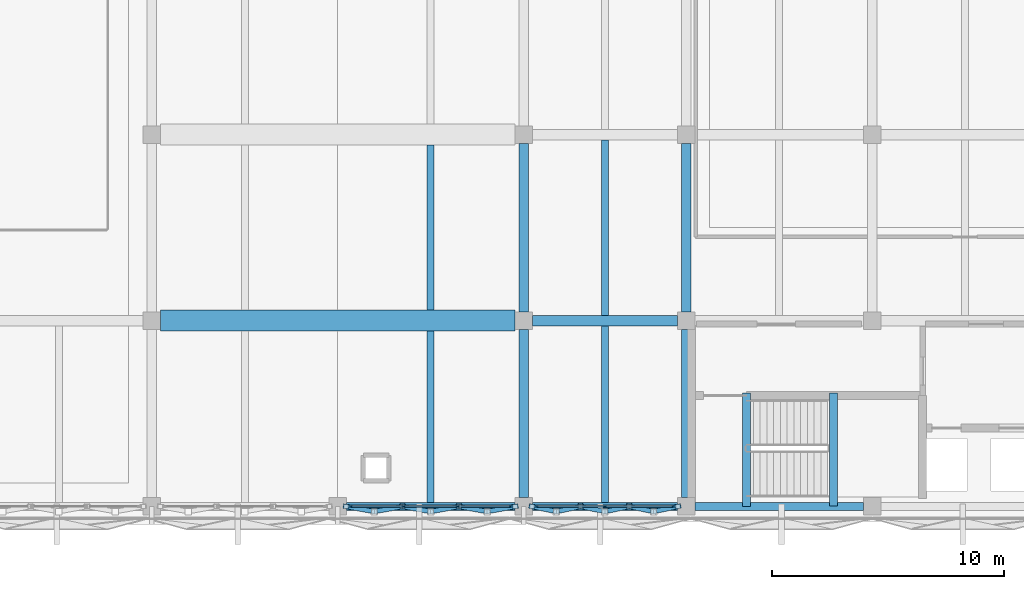
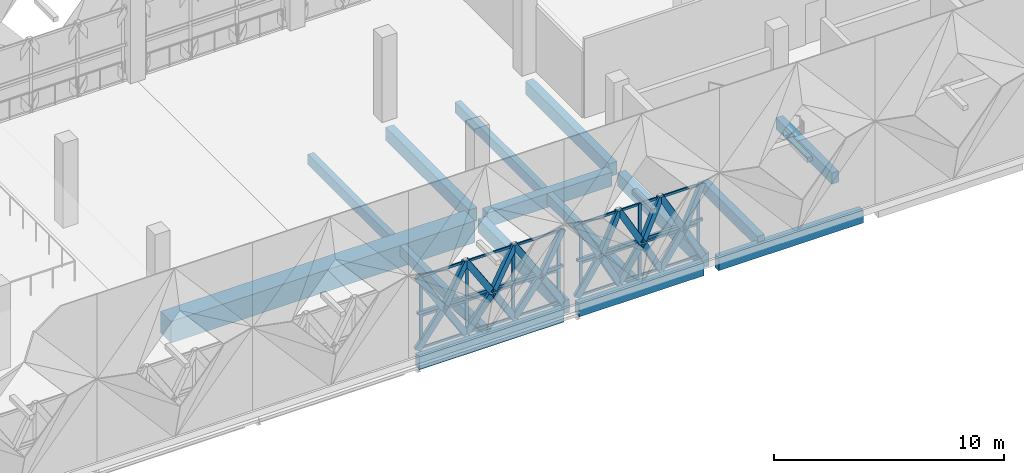
# One storey, part 13 of 53: 52 members, 15 beams, 2 elements without a shape of their own.
"""IFC4 building model written with IfcOpenShell, lengths in metres."""

from ifc_helpers import new_model, si_unit, direction, frame, origin, origin_2d, place, context, subcontext, project, spatial, rectangle, hollow_rectangle, extrude, material, layer, layer_set, material_profile, profile_set, type_object, element, aggregate, save


model = new_model("IFC4")

# Units and contexts
model_context = context("Model", 3, precision=1e-05, world=origin(), true_north=direction((0.0, 1.0)))
body_context = subcontext(model_context, "Body", "Model", "MODEL_VIEW")
ifc_project = project(units=[si_unit("LENGTHUNIT", "METRE"), si_unit("AREAUNIT", "SQUARE_METRE"), si_unit("VOLUMEUNIT", "CUBIC_METRE"), si_unit("PLANEANGLEUNIT", "RADIAN"), si_unit("MASSUNIT", "GRAM", prefix="KILO")], contexts=[model_context])

# Site, building, storey
site_placement = place(None, origin())
site = spatial("IfcSite", under=ifc_project, at=site_placement, CompositionType="ELEMENT")
building_placement = place(site_placement, origin())
building = spatial("IfcBuilding", under=site, at=building_placement, Name="Qorikala Patio Media Centre", CompositionType="ELEMENT")
storey_placement = place(building_placement, frame((0.0, 0.0, 5.39990234375)))
storey = spatial("IfcBuildingStorey", under=building, at=storey_placement, Name="L01", CompositionType="ELEMENT", Elevation=5.39990234375)

# Beams
ifc_material_1 = material(Name="Concrete C35/45", Category="concrete")
ifc_material_profile_1 = material_profile(ifc_material_1, rectangle(XDim=0.35009765625, YDim=0.60009765625, at=origin_2d()), Name="RC 350x600")
ifc_profile_set_1 = profile_set([ifc_material_profile_1], Name="Concrete C35/45")
beam_type_1 = type_object("IfcBeamType", Name="BM-G350X600", PredefinedType="BEAM", material=ifc_profile_set_1)
beam_1_placement = place(storey_placement, frame((84.60009765625, 3.0, -0.2998046875), z_axis=(0.0, 1.0, 0.0), x_axis=(-1.0, 0.0, 0.0)))
element("IfcBeam", 1, at=beam_1_placement, inside=storey, type_object=beam_type_1, Name="L01 ST-4 Well Trimmer Beam", PredefinedType="BEAM", context=body_context, shape_type="SweptSolid", body=[
    extrude(rectangle(XDim=0.35009765625, YDim=0.60009765625, at=origin_2d()), origin(), (0.0, 0.0, 1.0), 4.8798828125),
])
beam_2_placement = place(storey_placement, frame((88.330078125, 3.02001953125, 1.75), z_axis=(0.0, 1.0, 0.0), x_axis=(-1.0, 0.0, 0.0)))
element("IfcBeam", 2, at=beam_2_placement, inside=storey, type_object=beam_type_1, Name="L01 ST-4 Landing Beam 1", PredefinedType="BEAM", context=body_context, shape_type="SweptSolid", body=[
    extrude(rectangle(XDim=0.35009765625, YDim=0.60009765625, at=origin_2d()), origin(), (0.0, 0.0, 1.0), 4.85986328125),
])
ifc_material_profile_2 = material_profile(ifc_material_1, rectangle(XDim=0.39990234375, YDim=0.699951171875, at=origin_2d()), Name="RC 400x700")
ifc_profile_set_2 = profile_set([ifc_material_profile_2], Name="Concrete C35/45")
beam_type_2 = type_object("IfcBeamType", Name="BM-G400X700", PredefinedType="BEAM", material=ifc_profile_set_2)
for number, where, z_axis, x_axis, name in (
    (3, (75.0, 3.375, -0.64990234375), (0.0, 1.0, 0.0), (-1.0, 0.0, 0.0), "L01 Grid X=75 Beam 0622"),
    (4, (75.0, 11.375, -0.64990234375), (0.0, 1.0, 0.0), (-1.0, 0.0, 0.0), "L01 Grid X=75 Beam 0623"),
    (5, (82.0, 3.375, -0.64990234375), (0.0, 1.0, 0.0), (-1.0, 0.0, 0.0), "L01 Grid X=82 Beam 0630"),
    (6, (82.0, 11.375, -0.64990234375), (0.0, 1.0, 0.0), (-1.0, 0.0, 0.0), "L01 Grid X=82 Beam 0631"),
):
    element("IfcBeam", number, at=place(storey_placement, frame(where, z_axis=z_axis, x_axis=x_axis)), inside=storey, type_object=beam_type_2, Name=name, PredefinedType="BEAM", context=body_context, shape_type="SweptSolid", body=[
        extrude(rectangle(XDim=0.39990234375, YDim=0.699951171875, at=origin_2d()), origin(), (0.0, 0.0, 1.0), 7.25),
    ])
ifc_material_profile_3 = material_profile(ifc_material_1, rectangle(XDim=0.449951171875, YDim=0.75, at=origin_2d()), Name="RC 450x750")
ifc_profile_set_3 = profile_set([ifc_material_profile_3], Name="Concrete C35/45")
beam_type_3 = type_object("IfcBeamType", Name="BM-G450X750", PredefinedType="BEAM", material=ifc_profile_set_3)
beam_3_placement = place(storey_placement, frame((75.375, 11.0, -0.6748046875), z_axis=(1.0, 0.0, 0.0), x_axis=(0.0, 1.0, 0.0)))
element("IfcBeam", 7, at=beam_3_placement, inside=storey, type_object=beam_type_3, Name="L01 Grid 11 Beam 0428", PredefinedType="BEAM", context=body_context, shape_type="SweptSolid", body=[
    extrude(rectangle(XDim=0.449951171875, YDim=0.75, at=origin_2d()), origin(), (0.0, 0.0, 1.0), 6.25),
])
ifc_material_profile_4 = material_profile(ifc_material_1, rectangle(XDim=0.89990234375, YDim=1.14990234375, at=origin_2d()), Name="RC 900x1150")
ifc_profile_set_4 = profile_set([ifc_material_profile_4], Name="Concrete C35/45")
beam_type_4 = type_object("IfcBeamType", Name="BM-TR900X1150", PredefinedType="BEAM", material=ifc_profile_set_4)
beam_4_placement = place(storey_placement, frame((59.375, 11.0, -0.875), z_axis=(1.0, 0.0, 0.0), x_axis=(0.0, 1.0, 0.0)))
element("IfcBeam", 8, at=beam_4_placement, inside=storey, type_object=beam_type_4, Name="L01 Grid 11 Beam 0427", PredefinedType="BEAM", context=body_context, shape_type="SweptSolid", body=[
    extrude(rectangle(XDim=0.89990234375, YDim=1.14990234375, at=origin_2d()), origin(), (0.0, 0.0, 1.0), 15.25),
])

# Members
ifc_material_2 = material(Name="Golden Bronze Coated Steel S355", Category="steel")
ifc_material_profile_5 = material_profile(ifc_material_2, hollow_rectangle(XDim=0.139892578125, YDim=0.139892578125, WallThickness=0.006103515625, at=origin_2d()), Name="HSS140X140X6")
ifc_profile_set_5 = profile_set([ifc_material_profile_5], Name="Golden Bronze Coated Steel S355")
member_type_1 = type_object("IfcMemberType", Name="BRACE-DIA140", PredefinedType="BRACE", material=ifc_profile_set_5)
for number, where, z_axis, x_axis, name in (
    (9, (81.639892578125, 3.0, 1.925048828125), (-1.0, 0.0, 0.0), (0.0, -1.0, 0.0), "L01 Diamond Fold Tie 019"),
    (10, (79.546630859375, 3.0, 1.925048828125), (-1.0, 0.0, 0.0), (0.0, -1.0, 0.0), "L01 Diamond Fold Tie 020"),
    (11, (77.453369140625, 3.0, 1.925048828125), (-1.0, 0.0, 0.0), (0.0, -1.0, 0.0), "L01 Diamond Fold Tie 021"),
):
    element("IfcMember", number, at=place(storey_placement, frame(where, z_axis=z_axis, x_axis=x_axis)), inside=storey, type_object=member_type_1, Name=name, PredefinedType="BRACE", context=body_context, shape_type="SweptSolid", body=[
        extrude(hollow_rectangle(XDim=0.139892578125, YDim=0.139892578125, WallThickness=0.006103515625, at=origin_2d()), origin(), (0.0, 0.0, 1.0), 2.09326171875),
    ])
member_1_placement = place(storey_placement, frame((74.639892578125, 3.0, 1.925048828125), z_axis=(-1.0, 0.0, 0.0), x_axis=(0.0, -1.0, 0.0)))
element("IfcMember", 12, at=member_1_placement, inside=storey, type_object=member_type_1, Name="L01 Diamond Fold Tie 022", PredefinedType="BRACE", context=body_context, shape_type="SweptSolid", body=[
    extrude(hollow_rectangle(XDim=0.139892578125, YDim=0.139892578125, WallThickness=0.006103515625, at=origin_2d()), origin(), (0.0, 0.0, 1.0), 2.426513671875),
])
member_2_placement = place(storey_placement, frame((72.21337890625, 3.0, 1.925048828125), z_axis=(-1.0, 0.0, 0.0), x_axis=(0.0, -1.0, 0.0)))
element("IfcMember", 13, at=member_2_placement, inside=storey, type_object=member_type_1, Name="L01 Diamond Fold Tie 023", PredefinedType="BRACE", context=body_context, shape_type="SweptSolid", body=[
    extrude(hollow_rectangle(XDim=0.139892578125, YDim=0.139892578125, WallThickness=0.006103515625, at=origin_2d()), origin(), (0.0, 0.0, 1.0), 2.4267578125),
])
member_3_placement = place(storey_placement, frame((69.78662109375, 3.0, 1.925048828125), z_axis=(-1.0, 0.0, 0.0), x_axis=(0.0, -1.0, 0.0)))
element("IfcMember", 14, at=member_3_placement, inside=storey, type_object=member_type_1, Name="L01 Diamond Fold Tie 024", PredefinedType="BRACE", context=body_context, shape_type="SweptSolid", body=[
    extrude(hollow_rectangle(XDim=0.139892578125, YDim=0.139892578125, WallThickness=0.006103515625, at=origin_2d()), origin(), (0.0, 0.0, 1.0), 2.426513671875),
])

# Curtain wall, members
ifc_material_3 = material(Name="Golden Bronze Anodised Aluminium and Low-E Glass", Category="aluminium")
ifc_layer_1 = layer(ifc_material_3, 0.159912109375)
ifc_layer_set_1 = layer_set([ifc_layer_1], Name="Golden Bronze Anodised Aluminium and Low-E Glass")
curtain_wall_type_1 = type_object("IfcCurtainWallType", Name="CW-DIA-596X385", PredefinedType="USERDEFINED", material=ifc_layer_set_1)
curtain_wall_1_placement = place(storey_placement, origin())
curtain_wall_1 = element("IfcCurtainWall", 15, at=curtain_wall_1_placement, inside=storey, type_object=curtain_wall_type_1, Name="L01 Courtyard Curtain Wall 035", ObjectType="COURTYARD CURTAIN WALL", PredefinedType="USERDEFINED")
ifc_material_4 = material(Name="Golden Bronze Anodised Aluminium", Category="aluminium")
ifc_material_profile_6 = material_profile(ifc_material_4, rectangle(XDim=0.06494140625, YDim=0.14990234375, at=origin_2d()), Name="ALU MULLION 65x150")
ifc_profile_set_6 = profile_set([ifc_material_profile_6], Name="Golden Bronze Anodised Aluminium")
member_type_2 = type_object("IfcMemberType", Name="CWM-65X150", PredefinedType="MULLION", material=ifc_profile_set_6)
member_4_placement = place(storey_placement, frame((81.447509765625, 3.0, 0.0), z_axis=(0.0, 0.0, 1.0), x_axis=(0.0, -1.0, 0.0)))
member_4 = element("IfcMember", 16, at=member_4_placement, type_object=member_type_2, Name="CWD596385 mullion 1", PredefinedType="MULLION", context=body_context, shape_type="SweptSolid", body=[
    extrude(rectangle(XDim=0.06494140625, YDim=0.14990234375, at=origin_2d()), origin(), (0.0, 0.0, 1.0), 3.85009765625),
])
member_5_placement = place(storey_placement, frame((78.5, 3.0, 0.0), z_axis=(0.0, 0.0, 1.0), x_axis=(0.0, -1.0, 0.0)))
member_5 = element("IfcMember", 17, at=member_5_placement, type_object=member_type_2, Name="CWD596385 mullion 2", PredefinedType="MULLION", context=body_context, shape_type="SweptSolid", body=[
    extrude(rectangle(XDim=0.06494140625, YDim=0.14990234375, at=origin_2d()), origin(), (0.0, 0.0, 1.0), 3.85009765625),
])
member_6_placement = place(storey_placement, frame((75.552490234375, 3.0, 0.0), z_axis=(0.0, 0.0, 1.0), x_axis=(0.0, -1.0, 0.0)))
member_6 = element("IfcMember", 18, at=member_6_placement, type_object=member_type_2, Name="CWD596385 mullion 3", PredefinedType="MULLION", context=body_context, shape_type="SweptSolid", body=[
    extrude(rectangle(XDim=0.06494140625, YDim=0.14990234375, at=origin_2d()), origin(), (0.0, 0.0, 1.0), 3.85009765625),
])

ifc_layer_2 = layer(ifc_material_3, 0.159912109375)
ifc_layer_set_2 = layer_set([ifc_layer_2], Name="Golden Bronze Anodised Aluminium and Low-E Glass")
curtain_wall_type_2 = type_object("IfcCurtainWallType", Name="CW-DIA-696X385", PredefinedType="USERDEFINED", material=ifc_layer_set_2)
curtain_wall_2_placement = place(storey_placement, origin())
curtain_wall_2 = element("IfcCurtainWall", 19, at=curtain_wall_2_placement, inside=storey, type_object=curtain_wall_type_2, Name="L01 Courtyard Curtain Wall 036", ObjectType="COURTYARD CURTAIN WALL", PredefinedType="USERDEFINED")
member_7_placement = place(storey_placement, frame((74.447509765625, 3.0, 0.0), z_axis=(0.0, 0.0, 1.0), x_axis=(0.0, -1.0, 0.0)))
member_7 = element("IfcMember", 20, at=member_7_placement, type_object=member_type_2, Name="CWD696385 mullion 1", PredefinedType="MULLION", context=body_context, shape_type="SweptSolid", body=[
    extrude(rectangle(XDim=0.06494140625, YDim=0.14990234375, at=origin_2d()), origin(), (0.0, 0.0, 1.0), 3.85009765625),
])
member_8_placement = place(storey_placement, frame((72.159912109375, 3.0, 0.0), z_axis=(0.0, 0.0, 1.0), x_axis=(0.0, -1.0, 0.0)))
member_8 = element("IfcMember", 21, at=member_8_placement, type_object=member_type_2, Name="CWD696385 mullion 2", PredefinedType="MULLION", context=body_context, shape_type="SweptSolid", body=[
    extrude(rectangle(XDim=0.06494140625, YDim=0.14990234375, at=origin_2d()), origin(), (0.0, 0.0, 1.0), 3.85009765625),
])
member_9_placement = place(storey_placement, frame((69.840087890625, 3.0, 0.0), z_axis=(0.0, 0.0, 1.0), x_axis=(0.0, -1.0, 0.0)))
member_9 = element("IfcMember", 22, at=member_9_placement, type_object=member_type_2, Name="CWD696385 mullion 3", PredefinedType="MULLION", context=body_context, shape_type="SweptSolid", body=[
    extrude(rectangle(XDim=0.06494140625, YDim=0.14990234375, at=origin_2d()), origin(), (0.0, 0.0, 1.0), 3.85009765625),
])
member_10_placement = place(storey_placement, frame((67.552490234375, 3.0, 0.0), z_axis=(0.0, 0.0, 1.0), x_axis=(0.0, -1.0, 0.0)))
member_10 = element("IfcMember", 23, at=member_10_placement, type_object=member_type_2, Name="CWD696385 mullion 4", PredefinedType="MULLION", context=body_context, shape_type="SweptSolid", body=[
    extrude(rectangle(XDim=0.06494140625, YDim=0.14990234375, at=origin_2d()), origin(), (0.0, 0.0, 1.0), 3.85009765625),
])

# Member
ifc_material_profile_7 = material_profile(ifc_material_4, rectangle(XDim=0.06494140625, YDim=0.1201171875, at=origin_2d()), Name="ALU TRANSOM 65x120")
ifc_profile_set_7 = profile_set([ifc_material_profile_7], Name="Golden Bronze Anodised Aluminium")
member_type_3 = type_object("IfcMemberType", Name="CWT-65X120", PredefinedType="USERDEFINED", material=ifc_profile_set_7)
member_11_placement = place(storey_placement, frame((81.4150390625, 3.0, 0.03271484375), z_axis=(-1.0, 0.0, 0.0), x_axis=(0.0, -1.0, 0.0)))
member_11 = element("IfcMember", 24, at=member_11_placement, type_object=member_type_3, Name="CWD596385 transom 1.1", ObjectType="TRANSOM", PredefinedType="USERDEFINED", context=body_context, shape_type="SweptSolid", body=[
    extrude(rectangle(XDim=0.06494140625, YDim=0.1201171875, at=origin_2d()), origin(), (0.0, 0.0, 1.0), 2.882568359375),
])

member_12_placement = place(storey_placement, frame((81.4150390625, 3.0, 1.732666015625), z_axis=(-1.0, 0.0, 0.0), x_axis=(0.0, -1.0, 0.0)))
member_12 = element("IfcMember", 25, at=member_12_placement, type_object=member_type_3, Name="CWD596385 transom 1.2", ObjectType="TRANSOM", PredefinedType="USERDEFINED", context=body_context, shape_type="SweptSolid", body=[
    extrude(rectangle(XDim=0.06494140625, YDim=0.1201171875, at=origin_2d()), origin(), (0.0, 0.0, 1.0), 2.882568359375),
])

member_13_placement = place(storey_placement, frame((81.4150390625, 3.0, 3.817626953125), z_axis=(-1.0, 0.0, 0.0), x_axis=(0.0, -1.0, 0.0)))
member_13 = element("IfcMember", 26, at=member_13_placement, type_object=member_type_3, Name="CWD596385 transom 1.3", ObjectType="TRANSOM", PredefinedType="USERDEFINED", context=body_context, shape_type="SweptSolid", body=[
    extrude(rectangle(XDim=0.06494140625, YDim=0.1201171875, at=origin_2d()), origin(), (0.0, 0.0, 1.0), 2.882568359375),
])

member_14_placement = place(storey_placement, frame((78.467529296875, 3.0, 0.03271484375), z_axis=(-1.0, 0.0, 0.0), x_axis=(0.0, -1.0, 0.0)))
member_14 = element("IfcMember", 27, at=member_14_placement, type_object=member_type_3, Name="CWD596385 transom 2.1", ObjectType="TRANSOM", PredefinedType="USERDEFINED", context=body_context, shape_type="SweptSolid", body=[
    extrude(rectangle(XDim=0.06494140625, YDim=0.1201171875, at=origin_2d()), origin(), (0.0, 0.0, 1.0), 2.882568359375),
])

member_15_placement = place(storey_placement, frame((78.467529296875, 3.0, 1.732666015625), z_axis=(-1.0, 0.0, 0.0), x_axis=(0.0, -1.0, 0.0)))
member_15 = element("IfcMember", 28, at=member_15_placement, type_object=member_type_3, Name="CWD596385 transom 2.2", ObjectType="TRANSOM", PredefinedType="USERDEFINED", context=body_context, shape_type="SweptSolid", body=[
    extrude(rectangle(XDim=0.06494140625, YDim=0.1201171875, at=origin_2d()), origin(), (0.0, 0.0, 1.0), 2.882568359375),
])

member_16_placement = place(storey_placement, frame((78.467529296875, 3.0, 3.817626953125), z_axis=(-1.0, 0.0, 0.0), x_axis=(0.0, -1.0, 0.0)))
member_16 = element("IfcMember", 29, at=member_16_placement, type_object=member_type_3, Name="CWD596385 transom 2.3", ObjectType="TRANSOM", PredefinedType="USERDEFINED", context=body_context, shape_type="SweptSolid", body=[
    extrude(rectangle(XDim=0.06494140625, YDim=0.1201171875, at=origin_2d()), origin(), (0.0, 0.0, 1.0), 2.882568359375),
])

aggregate(curtain_wall_1, [member_4, member_5, member_6, member_11, member_12, member_13, member_14, member_15, member_16])

member_17_placement = place(storey_placement, frame((74.4150390625, 3.0, 0.03271484375), z_axis=(-1.0, 0.0, 0.0), x_axis=(0.0, -1.0, 0.0)))
member_17 = element("IfcMember", 30, at=member_17_placement, type_object=member_type_3, Name="CWD696385 transom 1.1", ObjectType="TRANSOM", PredefinedType="USERDEFINED", context=body_context, shape_type="SweptSolid", body=[
    extrude(rectangle(XDim=0.06494140625, YDim=0.1201171875, at=origin_2d()), origin(), (0.0, 0.0, 1.0), 2.22265625),
])

member_18_placement = place(storey_placement, frame((74.4150390625, 3.0, 1.732666015625), z_axis=(-1.0, 0.0, 0.0), x_axis=(0.0, -1.0, 0.0)))
member_18 = element("IfcMember", 31, at=member_18_placement, type_object=member_type_3, Name="CWD696385 transom 1.2", ObjectType="TRANSOM", PredefinedType="USERDEFINED", context=body_context, shape_type="SweptSolid", body=[
    extrude(rectangle(XDim=0.06494140625, YDim=0.1201171875, at=origin_2d()), origin(), (0.0, 0.0, 1.0), 2.22265625),
])

member_19_placement = place(storey_placement, frame((74.4150390625, 3.0, 3.817626953125), z_axis=(-1.0, 0.0, 0.0), x_axis=(0.0, -1.0, 0.0)))
member_19 = element("IfcMember", 32, at=member_19_placement, type_object=member_type_3, Name="CWD696385 transom 1.3", ObjectType="TRANSOM", PredefinedType="USERDEFINED", context=body_context, shape_type="SweptSolid", body=[
    extrude(rectangle(XDim=0.06494140625, YDim=0.1201171875, at=origin_2d()), origin(), (0.0, 0.0, 1.0), 2.22265625),
])

member_20_placement = place(storey_placement, frame((72.12744140625, 3.0, 0.03271484375), z_axis=(-1.0, 0.0, 0.0), x_axis=(0.0, -1.0, 0.0)))
member_20 = element("IfcMember", 33, at=member_20_placement, type_object=member_type_3, Name="CWD696385 transom 2.1", ObjectType="TRANSOM", PredefinedType="USERDEFINED", context=body_context, shape_type="SweptSolid", body=[
    extrude(rectangle(XDim=0.06494140625, YDim=0.1201171875, at=origin_2d()), origin(), (0.0, 0.0, 1.0), 2.2548828125),
])

member_21_placement = place(storey_placement, frame((72.12744140625, 3.0, 1.732666015625), z_axis=(-1.0, 0.0, 0.0), x_axis=(0.0, -1.0, 0.0)))
member_21 = element("IfcMember", 34, at=member_21_placement, type_object=member_type_3, Name="CWD696385 transom 2.2", ObjectType="TRANSOM", PredefinedType="USERDEFINED", context=body_context, shape_type="SweptSolid", body=[
    extrude(rectangle(XDim=0.06494140625, YDim=0.1201171875, at=origin_2d()), origin(), (0.0, 0.0, 1.0), 2.2548828125),
])

member_22_placement = place(storey_placement, frame((72.12744140625, 3.0, 3.817626953125), z_axis=(-1.0, 0.0, 0.0), x_axis=(0.0, -1.0, 0.0)))
member_22 = element("IfcMember", 35, at=member_22_placement, type_object=member_type_3, Name="CWD696385 transom 2.3", ObjectType="TRANSOM", PredefinedType="USERDEFINED", context=body_context, shape_type="SweptSolid", body=[
    extrude(rectangle(XDim=0.06494140625, YDim=0.1201171875, at=origin_2d()), origin(), (0.0, 0.0, 1.0), 2.2548828125),
])

member_23_placement = place(storey_placement, frame((69.8076171875, 3.0, 0.03271484375), z_axis=(-1.0, 0.0, 0.0), x_axis=(0.0, -1.0, 0.0)))
member_23 = element("IfcMember", 36, at=member_23_placement, type_object=member_type_3, Name="CWD696385 transom 3.1", ObjectType="TRANSOM", PredefinedType="USERDEFINED", context=body_context, shape_type="SweptSolid", body=[
    extrude(rectangle(XDim=0.06494140625, YDim=0.1201171875, at=origin_2d()), origin(), (0.0, 0.0, 1.0), 2.22265625),
])

member_24_placement = place(storey_placement, frame((69.8076171875, 3.0, 1.732666015625), z_axis=(-1.0, 0.0, 0.0), x_axis=(0.0, -1.0, 0.0)))
member_24 = element("IfcMember", 37, at=member_24_placement, type_object=member_type_3, Name="CWD696385 transom 3.2", ObjectType="TRANSOM", PredefinedType="USERDEFINED", context=body_context, shape_type="SweptSolid", body=[
    extrude(rectangle(XDim=0.06494140625, YDim=0.1201171875, at=origin_2d()), origin(), (0.0, 0.0, 1.0), 2.22265625),
])

member_25_placement = place(storey_placement, frame((69.8076171875, 3.0, 3.817626953125), z_axis=(-1.0, 0.0, 0.0), x_axis=(0.0, -1.0, 0.0)))
member_25 = element("IfcMember", 38, at=member_25_placement, type_object=member_type_3, Name="CWD696385 transom 3.3", ObjectType="TRANSOM", PredefinedType="USERDEFINED", context=body_context, shape_type="SweptSolid", body=[
    extrude(rectangle(XDim=0.06494140625, YDim=0.1201171875, at=origin_2d()), origin(), (0.0, 0.0, 1.0), 2.22265625),
])

aggregate(curtain_wall_2, [member_7, member_8, member_9, member_10, member_17, member_18, member_19, member_20, member_21, member_22, member_23, member_24, member_25])

# Beams
ifc_material_profile_8 = material_profile(ifc_material_1, rectangle(XDim=0.300048828125, YDim=0.550048828125, at=origin_2d()), Name="RC 300x550")
ifc_profile_set_8 = profile_set([ifc_material_profile_8], Name="Concrete C35/45")
beam_type_5 = type_object("IfcBeamType", Name="JS-300X550", PredefinedType="JOIST", material=ifc_profile_set_8)
beam_5_placement = place(storey_placement, frame((71.0, 3.175048828125, -0.574951171875), z_axis=(0.0, 1.0, 0.0), x_axis=(-1.0, 0.0, 0.0)))
element("IfcBeam", 39, at=beam_5_placement, inside=storey, type_object=beam_type_5, Name="L01 Secondary Joist 0718", PredefinedType="JOIST", context=body_context, shape_type="SweptSolid", body=[
    extrude(rectangle(XDim=0.300048828125, YDim=0.550048828125, at=origin_2d()), origin(), (0.0, 0.0, 1.0), 7.375),
])
beam_6_placement = place(storey_placement, frame((71.0, 11.449951171875, -0.574951171875), z_axis=(0.0, 1.0, 0.0), x_axis=(-1.0, 0.0, 0.0)))
element("IfcBeam", 40, at=beam_6_placement, inside=storey, type_object=beam_type_5, Name="L01 Secondary Joist 0719", PredefinedType="JOIST", context=body_context, shape_type="SweptSolid", body=[
    extrude(rectangle(XDim=0.300048828125, YDim=0.550048828125, at=origin_2d()), origin(), (0.0, 0.0, 1.0), 7.10009765625),
])
beam_7_placement = place(storey_placement, frame((78.5, 3.175048828125, -0.574951171875), z_axis=(0.0, 1.0, 0.0), x_axis=(-1.0, 0.0, 0.0)))
element("IfcBeam", 41, at=beam_7_placement, inside=storey, type_object=beam_type_5, Name="L01 Secondary Joist 0726", PredefinedType="JOIST", context=body_context, shape_type="SweptSolid", body=[
    extrude(rectangle(XDim=0.300048828125, YDim=0.550048828125, at=origin_2d()), origin(), (0.0, 0.0, 1.0), 7.599853515625),
])
beam_8_placement = place(storey_placement, frame((78.5, 11.22509765625, -0.574951171875), z_axis=(0.0, 1.0, 0.0), x_axis=(-1.0, 0.0, 0.0)))
element("IfcBeam", 42, at=beam_8_placement, inside=storey, type_object=beam_type_5, Name="L01 Secondary Joist 0727", PredefinedType="JOIST", context=body_context, shape_type="SweptSolid", body=[
    extrude(rectangle(XDim=0.300048828125, YDim=0.550048828125, at=origin_2d()), origin(), (0.0, 0.0, 1.0), 7.5498046875),
])
ifc_material_profile_9 = material_profile(ifc_material_1, rectangle(XDim=0.35009765625, YDim=0.679931640625, at=origin_2d()), Name="RC 350x680")
ifc_profile_set_9 = profile_set([ifc_material_profile_9], Name="Concrete C35/45")
beam_type_6 = type_object("IfcBeamType", Name="SP-350X680", PredefinedType="SPANDREL", material=ifc_profile_set_9)
beam_9_placement = place(storey_placement, frame((67.375, 3.0, -0.639892578125), z_axis=(1.0, 0.0, 0.0), x_axis=(0.0, 1.0, 0.0)))
element("IfcBeam", 43, at=beam_9_placement, inside=storey, type_object=beam_type_6, Name="L01 Grid 3 Beam 0407", PredefinedType="SPANDREL", context=body_context, shape_type="SweptSolid", body=[
    extrude(rectangle(XDim=0.35009765625, YDim=0.679931640625, at=origin_2d()), origin(), (0.0, 0.0, 1.0), 7.25),
])
beam_10_placement = place(storey_placement, frame((75.375, 3.0, -0.639892578125), z_axis=(1.0, 0.0, 0.0), x_axis=(0.0, 1.0, 0.0)))
element("IfcBeam", 44, at=beam_10_placement, inside=storey, type_object=beam_type_6, Name="L01 Grid 3 Beam 0408", PredefinedType="SPANDREL", context=body_context, shape_type="SweptSolid", body=[
    extrude(rectangle(XDim=0.35009765625, YDim=0.679931640625, at=origin_2d()), origin(), (0.0, 0.0, 1.0), 6.25),
])
beam_11_placement = place(storey_placement, frame((82.375, 3.0, -0.639892578125), z_axis=(1.0, 0.0, 0.0), x_axis=(0.0, 1.0, 0.0)))
element("IfcBeam", 45, at=beam_11_placement, inside=storey, type_object=beam_type_6, Name="L01 Grid 3 Beam 0409", PredefinedType="SPANDREL", context=body_context, shape_type="SweptSolid", body=[
    extrude(rectangle(XDim=0.35009765625, YDim=0.679931640625, at=origin_2d()), origin(), (0.0, 0.0, 1.0), 7.25),
])

# Members
ifc_material_profile_10 = material_profile(ifc_material_2, hollow_rectangle(XDim=0.199951171875, YDim=0.300048828125, WallThickness=0.011962890625, at=origin_2d()), Name="HSS300X200X12")
ifc_profile_set_10 = profile_set([ifc_material_profile_10], Name="Golden Bronze Coated Steel S355")
member_type_4 = type_object("IfcMemberType", Name="STRUT-DIA300", PredefinedType="STRUT", material=ifc_profile_set_10)
for number, where, z_axis, x_axis, name in (
    (46, (81.639892578125, 3.0, 0.0), (-0.475284177813, -0.099558010654, 0.87418141872), (0.205020837962, -0.9787576084, 0.0), "L01 Diamond Foyer Fold Strut 019-DL1"),
    (47, (79.546630859375, 3.0, 0.0), (0.475284177813, -0.099558010654, 0.87418141872), (0.205020837962, 0.9787576084, 0.0), "L01 Diamond Foyer Fold Strut 019-DL2"),
    (48, (80.59326171875, 2.78076171875, 1.925048828125), (0.475284177813, 0.099558010654, 0.87418141872), (-0.205020837962, 0.9787576084, 0.0), "L01 Diamond Foyer Fold Strut 019-DU1"),
    (49, (80.59326171875, 2.78076171875, 1.925048828125), (-0.475284177813, 0.099558010654, 0.87418141872), (-0.205020837962, -0.9787576084, 0.0), "L01 Diamond Foyer Fold Strut 019-DU2"),
    (50, (79.546630859375, 3.0, 0.0), (-0.475284177813, -0.099558010654, 0.87418141872), (0.205020837962, -0.9787576084, 0.0), "L01 Diamond Foyer Fold Strut 020-DL1"),
    (51, (77.453369140625, 3.0, 0.0), (0.475284177813, -0.099558010654, 0.87418141872), (0.205020837962, 0.9787576084, 0.0), "L01 Diamond Foyer Fold Strut 020-DL2"),
    (52, (78.5, 2.78076171875, 1.925048828125), (0.475284177813, 0.099558010654, 0.87418141872), (-0.205020837962, 0.9787576084, 0.0), "L01 Diamond Foyer Fold Strut 020-DU1"),
    (53, (78.5, 2.78076171875, 1.925048828125), (-0.475284177813, 0.099558010654, 0.87418141872), (-0.205020837962, -0.9787576084, 0.0), "L01 Diamond Foyer Fold Strut 020-DU2"),
    (54, (77.453369140625, 3.0, 0.0), (-0.475284177813, -0.099558010654, 0.87418141872), (0.205020837962, -0.9787576084, 0.0), "L01 Diamond Foyer Fold Strut 021-DL1"),
    (55, (75.360107421875, 3.0, 0.0), (0.475284177813, -0.099558010654, 0.87418141872), (0.205020837962, 0.9787576084, 0.0), "L01 Diamond Foyer Fold Strut 021-DL2"),
    (56, (76.40673828125, 2.78076171875, 1.925048828125), (0.475284177813, 0.099558010654, 0.87418141872), (-0.205020837962, 0.9787576084, 0.0), "L01 Diamond Foyer Fold Strut 021-DU1"),
    (57, (76.40673828125, 2.78076171875, 1.925048828125), (-0.475284177813, 0.099558010654, 0.87418141872), (-0.205020837962, -0.9787576084, 0.0), "L01 Diamond Foyer Fold Strut 021-DU2"),
):
    element("IfcMember", number, at=place(storey_placement, frame(where, z_axis=z_axis, x_axis=x_axis)), inside=storey, type_object=member_type_4, Name=name, PredefinedType="STRUT", context=body_context, shape_type="SweptSolid", body=[
        extrude(hollow_rectangle(XDim=0.199951171875, YDim=0.300048828125, WallThickness=0.011962890625, at=origin_2d()), origin(), (0.0, 0.0, 1.0), 2.2021484375),
    ])
member_26_placement = place(storey_placement, frame((74.639892578125, 3.0, 0.0), z_axis=(-0.530691378365, -0.095906793675, 0.842121456713), x_axis=(0.17783968734, -0.984059472596, 0.0)))
element("IfcMember", 58, at=member_26_placement, inside=storey, type_object=member_type_4, Name="L01 Diamond Foyer Fold Strut 022-DL1", PredefinedType="STRUT", context=body_context, shape_type="SweptSolid", body=[
    extrude(hollow_rectangle(XDim=0.199951171875, YDim=0.300048828125, WallThickness=0.011962890625, at=origin_2d()), origin(), (0.0, 0.0, 1.0), 2.285888671875),
])
member_27_placement = place(storey_placement, frame((72.21337890625, 3.0, 0.0), z_axis=(0.530768093717, -0.095901357778, 0.842073726148), x_axis=(0.177805036072, 0.98406573416, 0.0)))
element("IfcMember", 59, at=member_27_placement, inside=storey, type_object=member_type_4, Name="L01 Diamond Foyer Fold Strut 022-DL2", PredefinedType="STRUT", context=body_context, shape_type="SweptSolid", body=[
    extrude(hollow_rectangle(XDim=0.199951171875, YDim=0.300048828125, WallThickness=0.011962890625, at=origin_2d()), origin(), (0.0, 0.0, 1.0), 2.2861328125),
])
member_28_placement = place(storey_placement, frame((73.4267578125, 2.78076171875, 1.925048828125), z_axis=(0.530691378365, 0.095906793675, 0.842121456713), x_axis=(-0.17783968734, 0.984059472596, 0.0)))
element("IfcMember", 60, at=member_28_placement, inside=storey, type_object=member_type_4, Name="L01 Diamond Foyer Fold Strut 022-DU1", PredefinedType="STRUT", context=body_context, shape_type="SweptSolid", body=[
    extrude(hollow_rectangle(XDim=0.199951171875, YDim=0.300048828125, WallThickness=0.011962890625, at=origin_2d()), origin(), (0.0, 0.0, 1.0), 2.285888671875),
])
for number, where, z_axis, x_axis, name in (
    (61, (73.4267578125, 2.78076171875, 1.925048828125), (-0.530768093717, 0.095901357778, 0.842073726148), (-0.177805036072, -0.98406573416, 0.0), "L01 Diamond Foyer Fold Strut 022-DU2"),
    (62, (72.21337890625, 3.0, 0.0), (-0.530768093717, -0.095901357778, 0.842073726148), (0.177805036072, -0.98406573416, 0.0), "L01 Diamond Foyer Fold Strut 023-DL1"),
    (63, (69.78662109375, 3.0, 0.0), (0.530768093717, -0.095901357778, 0.842073726148), (0.177805036072, 0.98406573416, 0.0), "L01 Diamond Foyer Fold Strut 023-DL2"),
    (64, (71.0, 2.78076171875, 1.925048828125), (0.530768093717, 0.095901357778, 0.842073726148), (-0.177805036072, 0.98406573416, 0.0), "L01 Diamond Foyer Fold Strut 023-DU1"),
    (65, (71.0, 2.78076171875, 1.925048828125), (-0.530768093717, 0.095901357778, 0.842073726148), (-0.177805036072, -0.98406573416, 0.0), "L01 Diamond Foyer Fold Strut 023-DU2"),
    (66, (69.78662109375, 3.0, 0.0), (-0.530768093717, -0.095901357778, 0.842073726148), (0.177805036072, -0.98406573416, 0.0), "L01 Diamond Foyer Fold Strut 024-DL1"),
):
    element("IfcMember", number, at=place(storey_placement, frame(where, z_axis=z_axis, x_axis=x_axis)), inside=storey, type_object=member_type_4, Name=name, PredefinedType="STRUT", context=body_context, shape_type="SweptSolid", body=[
        extrude(hollow_rectangle(XDim=0.199951171875, YDim=0.300048828125, WallThickness=0.011962890625, at=origin_2d()), origin(), (0.0, 0.0, 1.0), 2.2861328125),
    ])
member_29_placement = place(storey_placement, frame((67.360107421875, 3.0, 0.0), z_axis=(0.530691378365, -0.095906793675, 0.842121456713), x_axis=(0.17783968734, 0.984059472596, 0.0)))
element("IfcMember", 67, at=member_29_placement, inside=storey, type_object=member_type_4, Name="L01 Diamond Foyer Fold Strut 024-DL2", PredefinedType="STRUT", context=body_context, shape_type="SweptSolid", body=[
    extrude(hollow_rectangle(XDim=0.199951171875, YDim=0.300048828125, WallThickness=0.011962890625, at=origin_2d()), origin(), (0.0, 0.0, 1.0), 2.285888671875),
])
member_30_placement = place(storey_placement, frame((68.5732421875, 2.78076171875, 1.925048828125), z_axis=(0.530768093717, 0.095901357778, 0.842073726148), x_axis=(-0.177805036072, 0.98406573416, 0.0)))
element("IfcMember", 68, at=member_30_placement, inside=storey, type_object=member_type_4, Name="L01 Diamond Foyer Fold Strut 024-DU1", PredefinedType="STRUT", context=body_context, shape_type="SweptSolid", body=[
    extrude(hollow_rectangle(XDim=0.199951171875, YDim=0.300048828125, WallThickness=0.011962890625, at=origin_2d()), origin(), (0.0, 0.0, 1.0), 2.2861328125),
])
member_31_placement = place(storey_placement, frame((68.5732421875, 2.78076171875, 1.925048828125), z_axis=(-0.530691378365, 0.095906793675, 0.842121456713), x_axis=(-0.17783968734, -0.984059472596, 0.0)))
element("IfcMember", 69, at=member_31_placement, inside=storey, type_object=member_type_4, Name="L01 Diamond Foyer Fold Strut 024-DU2", PredefinedType="STRUT", context=body_context, shape_type="SweptSolid", body=[
    extrude(hollow_rectangle(XDim=0.199951171875, YDim=0.300048828125, WallThickness=0.011962890625, at=origin_2d()), origin(), (0.0, 0.0, 1.0), 2.285888671875),
])

save(model, "model.ifc")
